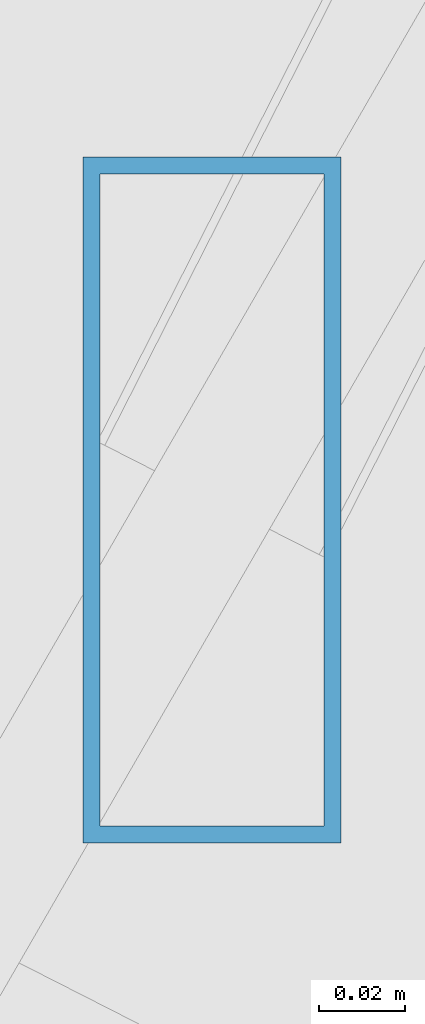
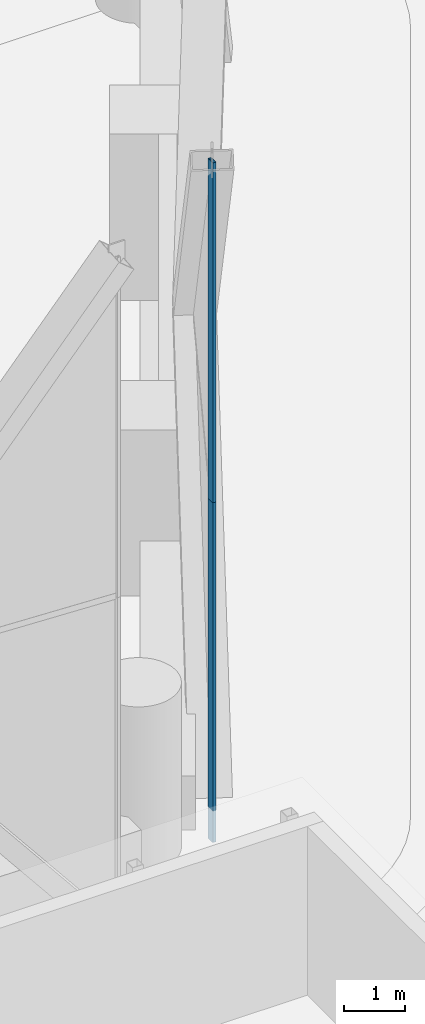
# One storey, part 14 of 71: 2 members, 1 element without a shape of its own.
"""IFC4 building model written with IfcOpenShell, lengths in metres."""

from ifc_helpers import new_model, si_unit, direction, frame, origin, origin_2d, place, context, subcontext, project, spatial, hollow_rectangle, extrude, material, material_profile, profile_set, type_object, element, aggregate, save


model = new_model("IFC4")

# Units and contexts
model_context = context("Model", 3, precision=1e-05, world=origin(), true_north=direction((0.0, 1.0)))
body_context = subcontext(model_context, "Body", "Model", "MODEL_VIEW")
ifc_project = project(units=[si_unit("LENGTHUNIT", "METRE"), si_unit("AREAUNIT", "SQUARE_METRE"), si_unit("VOLUMEUNIT", "CUBIC_METRE"), si_unit("PLANEANGLEUNIT", "RADIAN"), si_unit("MASSUNIT", "GRAM", prefix="KILO")], contexts=[model_context])

# Site, building, storey
site_placement = place(None, origin())
site = spatial("IfcSite", under=ifc_project, at=site_placement, CompositionType="ELEMENT")
building_placement = place(site_placement, origin())
building = spatial("IfcBuilding", under=site, at=building_placement, Name="Ostrander Bayou Hotel Tower", CompositionType="ELEMENT")
storey_placement = place(building_placement, frame((0.0, 0.0, 10.0)))
storey = spatial("IfcBuildingStorey", under=building, at=storey_placement, Name="L02", CompositionType="ELEMENT", Elevation=10.0)

# Curtain wall, members
ifc_material_1 = material(Name="Aluminium and clear glass", Category="aluminium")
curtain_wall_type = type_object("IfcCurtainWallType", Name="CW-LAT lattice glazing", PredefinedType="NOTDEFINED", material=ifc_material_1)
curtain_wall_placement = place(storey_placement, origin())
curtain_wall = element("IfcCurtainWall", 1, at=curtain_wall_placement, inside=storey, type_object=curtain_wall_type, Name="CW-LAT L02 SE 1", PredefinedType="NOTDEFINED")
ifc_material_2 = material(Name="Aluminium", Category="aluminium")
ifc_material_profile = material_profile(ifc_material_2, hollow_rectangle(XDim=0.06005859375, YDim=0.159912109375, WallThickness=0.00390625, at=origin_2d()))
ifc_profile_set = profile_set([ifc_material_profile], Name="Aluminium")
member_type = type_object("IfcMemberType", Name="CW-LA mullion 60 x 160 mm", PredefinedType="MULLION", material=ifc_profile_set)
member_1_placement = place(storey_placement, frame((13.637939453125, -20.5185546875, -0.60009765625), z_axis=(0.0, 0.0, 1.0), x_axis=(1.0, 0.0, 0.0)))
member_1 = element("IfcMember", 2, at=member_1_placement, type_object=member_type, Name="CW-LAT mullion 1", PredefinedType="MULLION", context=body_context, shape_type="SweptSolid", body=[
    extrude(hollow_rectangle(XDim=0.06005859375, YDim=0.159912109375, WallThickness=0.00390625, at=origin_2d()), origin(), (0.0, 0.0, 1.0), 6.75),
])
member_2_placement = place(storey_placement, frame((13.637939453125, -20.5185546875, 6.14990234375), z_axis=(0.0, 0.0, 1.0), x_axis=(1.0, 0.0, 0.0)))
member_2 = element("IfcMember", 3, at=member_2_placement, type_object=member_type, Name="CW-LAT mullion 2", PredefinedType="MULLION", context=body_context, shape_type="SweptSolid", body=[
    extrude(hollow_rectangle(XDim=0.06005859375, YDim=0.159912109375, WallThickness=0.00390625, at=origin_2d()), origin(), (0.0, 0.0, 1.0), 6.75),
])
aggregate(curtain_wall, [member_1, member_2])

save(model, "model.ifc")
